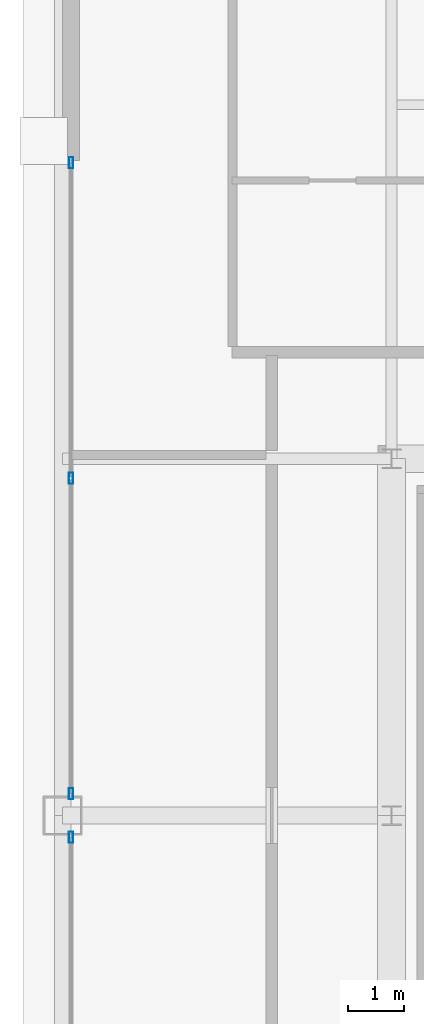
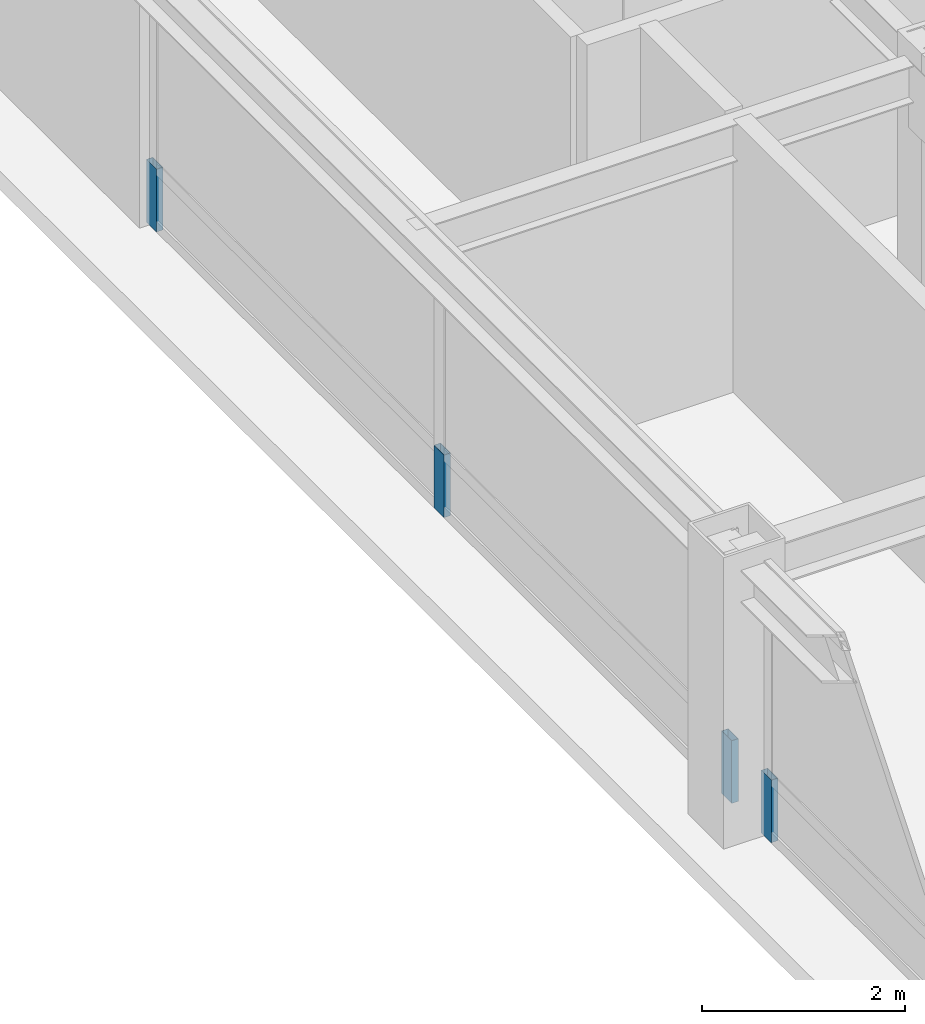
# One storey, part 24 of 35: 4 members, 2 elements without a shape of their own.
"""IFC4 building model written with IfcOpenShell, lengths in metres."""

import ifcopenshell
import ifcopenshell.guid

model = None  # the IFC model being written
_history = None  # IfcOwnerHistory: only IFC2X3 demands one
_inside = {}  # id of a spatial element -> (the spatial element, [elements in it])
_under = {}  # id of a project, library or spatial element -> (it, [spatial elements below it])
_declared = {}  # id of a project -> (the project, [libraries it declares])
_typed = {}  # id of a type object -> (the type object, [elements of that type])
_made_of = {}  # id of a material, layer set ... -> (it, [elements and type objects made of it])


def new_model(schema):
    """Start an empty IFC model of exactly this schema.

    Asked for "IFC4X3", IfcOpenShell would pick the latest addendum, in which some entities
    have other attributes; the version numbers below select the first issue.
    IFC2X3 requires an IfcOwnerHistory on every rooted entity: one is made here for all.
    """
    global model, _history
    if schema == "IFC4X3":
        model = ifcopenshell.file(schema_version=(4, 3, 0, 0))
    else:
        model = ifcopenshell.file(schema=schema)
    _inside.clear()
    _under.clear()
    _declared.clear()
    _typed.clear()
    _made_of.clear()
    _history = None
    if model.schema == "IFC2X3":
        org = make("IfcOrganization", Name="unknown")
        user = make(
            "IfcPersonAndOrganization",
            ThePerson=make("IfcPerson", FamilyName="unknown"),
            TheOrganization=org,
        )
        app = make(
            "IfcApplication",
            ApplicationDeveloper=org,
            Version="unknown",
            ApplicationFullName="unknown",
            ApplicationIdentifier="unknown",
        )
        _history = make(
            "IfcOwnerHistory",
            OwningUser=user,
            OwningApplication=app,
            ChangeAction="ADDED",
            CreationDate=0,
        )
    return model


def make(cls, **values):
    """One entity of the class cls with the attributes given. An attribute that is None is left unset."""
    return model.create_entity(
        cls, **{name: value for name, value in values.items() if value is not None}
    )


def rooted(cls, **values):
    """An entity with a GlobalId (a new one), such as an element, a storey or a relation."""
    return make(cls, GlobalId=ifcopenshell.guid.new(), OwnerHistory=_history, **values)


def si_unit(unit_type, name, prefix=None):
    """IfcSIUnit, for example si_unit("LENGTHUNIT", "METRE", prefix="MILLI")."""
    return make("IfcSIUnit", UnitType=unit_type, Prefix=prefix, Name=name)


def assignment(units):
    """IfcUnitAssignment: the units of a project."""
    return None if units is None else make("IfcUnitAssignment", Units=units)


def point(xyz):
    """IfcCartesianPoint."""
    return None if xyz is None else make("IfcCartesianPoint", Coordinates=xyz)


def direction(xyz):
    """IfcDirection."""
    return None if xyz is None else make("IfcDirection", DirectionRatios=xyz)


def frame(location, z_axis=None, x_axis=None):
    """IfcAxis2Placement3D, a coordinate frame: its origin and axes. An axis left out is left unset."""
    return make(
        "IfcAxis2Placement3D",
        Location=point(location),
        Axis=direction(z_axis),
        RefDirection=direction(x_axis),
    )


def frame_2d(location, x_axis=None):
    """IfcAxis2Placement2D, a coordinate frame in the plane: its origin and x axis."""
    return make(
        "IfcAxis2Placement2D", Location=point(location), RefDirection=direction(x_axis)
    )


def origin():
    """The frame at (0, 0, 0) with its axes left unset."""
    return frame((0.0, 0.0, 0.0))


def origin_2d():
    """The frame at (0, 0) in the plane with its x axis left unset."""
    return frame_2d((0.0, 0.0))


def place(relative_to, where):
    """IfcLocalPlacement: puts the frame where relative to a parent placement (None: the world)."""
    return make(
        "IfcLocalPlacement", PlacementRelTo=relative_to, RelativePlacement=where
    )


def context(
    kind, dimensions, precision=None, world=None, true_north=None, identifier=None
):
    """IfcGeometricRepresentationContext, for example the 3D "Model" context."""
    return make(
        "IfcGeometricRepresentationContext",
        ContextIdentifier=identifier,
        ContextType=kind,
        CoordinateSpaceDimension=dimensions,
        Precision=precision,
        WorldCoordinateSystem=world,
        TrueNorth=true_north,
    )


def subcontext(parent, identifier, kind, view, scale=None):
    """IfcGeometricRepresentationSubContext, for example "Body" below "Model"."""
    return make(
        "IfcGeometricRepresentationSubContext",
        ContextIdentifier=identifier,
        ContextType=kind,
        ParentContext=parent,
        TargetScale=scale,
        TargetView=view,
    )


def project(units=None, contexts=None):
    """IfcProject with its units and contexts."""
    return rooted(
        "IfcProject",
        Name="project",
        RepresentationContexts=contexts,
        UnitsInContext=assignment(units),
    )


def spatial(cls, under=None, at=None, **own):
    """A site, building, storey or space (cls), placed at a placement, below another one or the project."""
    s = rooted(cls, ObjectPlacement=at, **own)
    if under is not None:
        _under.setdefault(under.id(), (under, []))[1].append(s)
    return s


def profile(cls, at=None, kind="AREA", **sizes):
    """A parametric profile (cls). Its sizes go by their IFC names, for example OverallWidth=200.0."""
    return make(cls, ProfileType=kind, Position=at, **sizes)


def hollow_rectangle(**sizes):
    """IfcRectangleHollowProfileDef."""
    return profile("IfcRectangleHollowProfileDef", **sizes)


def extrude(swept, where, along, depth):
    """IfcExtrudedAreaSolid: the profile swept, set in the frame where, extruded along a direction by depth."""
    return make(
        "IfcExtrudedAreaSolid",
        SweptArea=swept,
        Position=where,
        ExtrudedDirection=direction(along),
        Depth=depth,
    )


def shape(context_of_items, identifier, shape_type, items):
    """IfcShapeRepresentation: the items that make up one representation, for example the "Body"."""
    return make(
        "IfcShapeRepresentation",
        ContextOfItems=context_of_items,
        RepresentationIdentifier=identifier,
        RepresentationType=shape_type,
        Items=items,
    )


def source(mapping_origin, context_of_items, identifier, shape_type, items):
    """IfcRepresentationMap: a shape defined once, which mapped items show again and again."""
    return make(
        "IfcRepresentationMap",
        MappingOrigin=mapping_origin,
        MappedRepresentation=shape(context_of_items, identifier, shape_type, items),
    )


def transform(
    local_origin,
    x_axis=None,
    y_axis=None,
    z_axis=None,
    scale=None,
    scale2=None,
    scale3=None,
    uniform=True,
):
    """IfcCartesianTransformationOperator3D, or its non-uniform kind. x_axis, y_axis, z_axis: its Axis1, 2, 3."""
    if uniform:
        return make(
            "IfcCartesianTransformationOperator3D",
            Axis1=direction(x_axis),
            Axis2=direction(y_axis),
            LocalOrigin=point(local_origin),
            Scale=scale,
            Axis3=direction(z_axis),
        )
    return make(
        "IfcCartesianTransformationOperator3DnonUniform",
        Axis1=direction(x_axis),
        Axis2=direction(y_axis),
        LocalOrigin=point(local_origin),
        Scale=scale,
        Axis3=direction(z_axis),
        Scale2=scale2,
        Scale3=scale3,
    )


def mapped(mapping_source, mapping_target):
    """IfcMappedItem: shows the shape of a source again, moved by a transform."""
    return make(
        "IfcMappedItem", MappingSource=mapping_source, MappingTarget=mapping_target
    )


def material(Name=None, Category=None):
    """IfcMaterial."""
    return make("IfcMaterial", Name=Name, Category=Category)


def layer(
    of_material, thickness, ventilated=None, Name=None, Category=None, Priority=None
):
    """IfcMaterialLayer: one layer of a wall or slab, of a material (None: an air gap)."""
    return make(
        "IfcMaterialLayer",
        Material=of_material,
        LayerThickness=thickness,
        IsVentilated=ventilated,
        Name=Name,
        Category=Category,
        Priority=Priority,
    )


def layer_set(layers, Name=None):
    """IfcMaterialLayerSet."""
    return make("IfcMaterialLayerSet", MaterialLayers=layers, LayerSetName=Name)


def material_profile(
    of_material, cross_section, Name=None, Category=None, Priority=None
):
    """IfcMaterialProfile: a cross section and its material."""
    return make(
        "IfcMaterialProfile",
        Name=Name,
        Material=of_material,
        Profile=cross_section,
        Priority=Priority,
        Category=Category,
    )


def profile_set(profiles, Name=None, composite=None):
    """IfcMaterialProfileSet."""
    return make(
        "IfcMaterialProfileSet",
        Name=Name,
        MaterialProfiles=profiles,
        CompositeProfile=composite,
    )


def made_of(thing, what):
    """Note that an element or type object is made of a material, layer set ...; save() writes the relation."""
    if what is not None:
        _made_of.setdefault(what.id(), (what, []))[1].append(thing)
    return thing


def type_object(cls, material=None, **own):
    """A type object (cls), such as IfcWallType, which elements share."""
    return made_of(rooted(cls, **own), material)


def element(
    cls,
    number,
    at=None,
    inside=None,
    cuts=None,
    type_object=None,
    material=None,
    context=None,
    identifier="Body",
    shape_type=None,
    held_by="IfcProductDefinitionShape",
    body=None,
    shapes=None,
    **own,
):
    """One element of the class cls, such as IfcWall. Its Tag is "e" and its number.

    at: its placement. inside: the storey or other place that contains it. cuts: it is an
    opening in that element (IfcRelVoidsElement). A single representation is given by context,
    identifier, shape_type and body (its items); several are given by shapes. held_by: the class
    of the entity that holds the representations. save() writes the other relations.
    """
    e = rooted(cls, Tag="e%d" % number, ObjectPlacement=at, **own)
    if body is not None:
        shapes = [shape(context, identifier, shape_type, body)]
    if shapes is not None:
        e.Representation = make(held_by, Representations=shapes)
    if inside is not None:
        _inside.setdefault(inside.id(), (inside, []))[1].append(e)
    if cuts is not None:
        rooted(
            "IfcRelVoidsElement", RelatingBuildingElement=cuts, RelatedOpeningElement=e
        )
    if type_object is not None:
        _typed.setdefault(type_object.id(), (type_object, []))[1].append(e)
    return made_of(e, material)


def aggregate(whole, parts):
    """IfcRelAggregates: a whole, such as a stair, and the parts it consists of."""
    return rooted("IfcRelAggregates", RelatingObject=whole, RelatedObjects=parts)


def save(model, path):
    """Write the relations noted so far, then the file.

    IfcRelAggregates (storeys below a building ...), IfcRelContainedInSpatialStructure (elements
    in a storey), IfcRelDefinesByType, IfcRelAssociatesMaterial and IfcRelDeclares: one each for
    every whole, place, type object, material and project.
    """
    for whole, parts in _under.values():
        aggregate(whole, parts)
    for where, things in _inside.values():
        rooted(
            "IfcRelContainedInSpatialStructure",
            RelatedElements=things,
            RelatingStructure=where,
        )
    for kind, things in _typed.values():
        rooted("IfcRelDefinesByType", RelatedObjects=things, RelatingType=kind)
    for what, things in _made_of.values():
        rooted("IfcRelAssociatesMaterial", RelatedObjects=things, RelatingMaterial=what)
    for by, libraries in _declared.values():
        rooted("IfcRelDeclares", RelatingContext=by, RelatedDefinitions=libraries)
    model.write(path)


model = new_model("IFC4")

# Units and contexts
model_context = context("Model", 3, precision=1e-05, world=origin(), true_north=direction((0.0, 1.0)))
body_context = subcontext(model_context, "Body", "Model", "MODEL_VIEW")
ifc_project = project(units=[si_unit("LENGTHUNIT", "METRE"), si_unit("AREAUNIT", "SQUARE_METRE"), si_unit("VOLUMEUNIT", "CUBIC_METRE"), si_unit("PLANEANGLEUNIT", "RADIAN"), si_unit("MASSUNIT", "GRAM", prefix="KILO"), si_unit("THERMODYNAMICTEMPERATUREUNIT", "KELVIN"), si_unit("POWERUNIT", "WATT")], contexts=[model_context])

# Site, building, storey
site_placement = place(None, origin())
site = spatial("IfcSite", under=ifc_project, at=site_placement, CompositionType="ELEMENT")
building_placement = place(site_placement, origin())
building = spatial("IfcBuilding", under=site, at=building_placement, Name="Yuzanri Waterfront Tower", CompositionType="ELEMENT")
storey_placement = place(building_placement, frame((0.0, 0.0, 318.199951171875)))
storey = spatial("IfcBuildingStorey", under=building, at=storey_placement, Name="L85", CompositionType="ELEMENT", Elevation=318.199951171875)

# Curtain wall, member
ifc_material_1 = material(Name="Anodized Architectural Bronze", Category="metal")
ifc_layer = layer(ifc_material_1, 0.159912109375)
ifc_layer_set = layer_set([ifc_layer], Name="Anodized Architectural Bronze")
curtain_wall_type = type_object("IfcCurtainWallType", Name="Anodized Bronze High-Rise Penthouse High-Wind Unitized Curtain Wall 6900", PredefinedType="NOTDEFINED", material=ifc_layer_set)
curtain_wall_1_placement = place(storey_placement, origin())
curtain_wall_1 = element("IfcCurtainWall", 1, at=curtain_wall_1_placement, inside=storey, type_object=curtain_wall_type, Name="L85 Curtain Wall CW-L85-WL", PredefinedType="NOTDEFINED")
ifc_material_2 = material(Name="Anodized Architectural Bronze", Category="metal")
ifc_material_profile = material_profile(ifc_material_2, hollow_rectangle(XDim=0.074951171875, YDim=0.199951171875, WallThickness=0.00390625, at=origin_2d()), Name="CWM 75x200")
ifc_profile_set = profile_set([ifc_material_profile], Name="Anodized Architectural Bronze")
member_type = type_object("IfcMemberType", Name="Anodized Bronze Primary Curtain-Wall Mullion 75x200", PredefinedType="MULLION", material=ifc_profile_set)
shared_shape = source(origin(), body_context, "Body", "SweptSolid", [
    extrude(hollow_rectangle(XDim=0.074951171875, YDim=0.199951171875, WallThickness=0.00390625, at=origin_2d()), origin(), (0.0, 0.0, 1.0), 0.751953125),
])
member_1_placement = place(storey_placement, frame((18.050048828125, 25.409912109375, 0.0), z_axis=(0.0, 0.0, 1.0), x_axis=(1.0, 0.0, 0.0)))
member_1 = element("IfcMember", 2, at=member_1_placement, type_object=member_type, Name="CW-L85-WL Lower Mullion 02", PredefinedType="MULLION", context=body_context, shape_type="MappedRepresentation", body=[
    mapped(shared_shape, transform((0.0, 0.0, 0.0), scale=1.0)),
])
aggregate(curtain_wall_1, [member_1])

# Curtain wall, members
curtain_wall_2_placement = place(storey_placement, origin())
curtain_wall_2 = element("IfcCurtainWall", 3, at=curtain_wall_2_placement, inside=storey, type_object=curtain_wall_type, Name="L85 Curtain Wall CW-L85-WR", PredefinedType="NOTDEFINED")
member_2_placement = place(storey_placement, frame((18.050048828125, 26.18994140625, 0.0), z_axis=(0.0, 0.0, 1.0), x_axis=(1.0, 0.0, 0.0)))
member_2 = element("IfcMember", 4, at=member_2_placement, type_object=member_type, Name="CW-L85-WR Lower Mullion 00", PredefinedType="MULLION", context=body_context, shape_type="MappedRepresentation", body=[
    mapped(shared_shape, transform((0.0, 0.0, 0.0), scale=1.0)),
])
member_3_placement = place(storey_placement, frame((18.050048828125, 31.85009765625, 0.0), z_axis=(0.0, 0.0, 1.0), x_axis=(1.0, 0.0, 0.0)))
member_3 = element("IfcMember", 5, at=member_3_placement, type_object=member_type, Name="CW-L85-WR Lower Mullion 01", PredefinedType="MULLION", context=body_context, shape_type="MappedRepresentation", body=[
    mapped(shared_shape, transform((0.0, 0.0, 0.0), scale=1.0)),
])
member_4_placement = place(storey_placement, frame((18.050048828125, 37.510009765625, 0.0), z_axis=(0.0, 0.0, 1.0), x_axis=(1.0, 0.0, 0.0)))
member_4 = element("IfcMember", 6, at=member_4_placement, type_object=member_type, Name="CW-L85-WR Lower Mullion 02", PredefinedType="MULLION", context=body_context, shape_type="MappedRepresentation", body=[
    mapped(shared_shape, transform((0.0, 0.0, 0.0), scale=1.0)),
])
aggregate(curtain_wall_2, [member_2, member_3, member_4])

save(model, "model.ifc")
